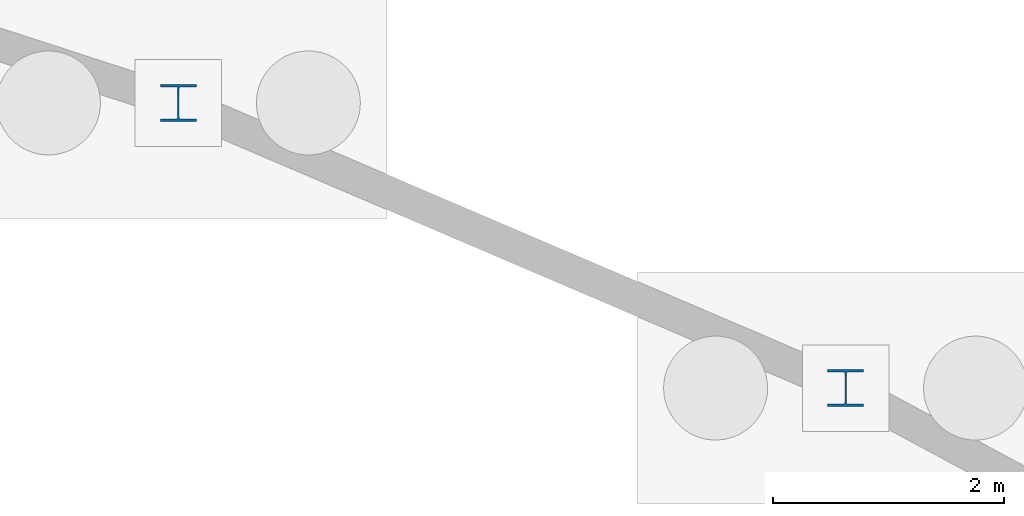
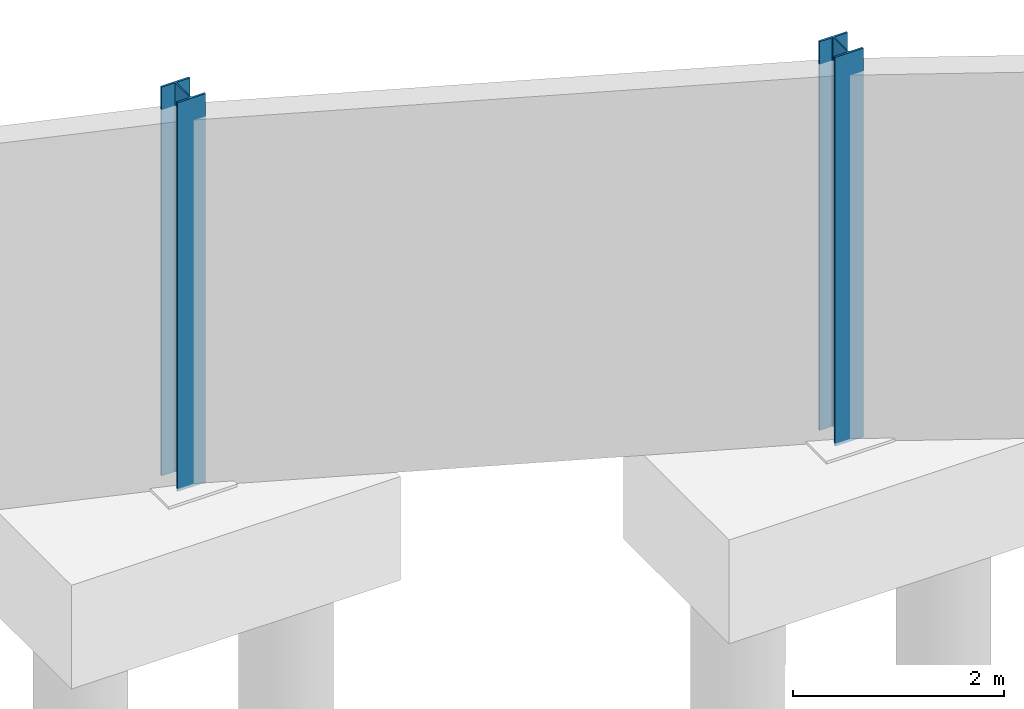
# One storey, part 20 of 41: 2 columns.
"""IFC4 building model written with IfcOpenShell, lengths in metres."""

import ifcopenshell
import ifcopenshell.guid

model = None  # the IFC model being written
_history = None  # IfcOwnerHistory: only IFC2X3 demands one
_inside = {}  # id of a spatial element -> (the spatial element, [elements in it])
_under = {}  # id of a project, library or spatial element -> (it, [spatial elements below it])
_declared = {}  # id of a project -> (the project, [libraries it declares])
_typed = {}  # id of a type object -> (the type object, [elements of that type])
_made_of = {}  # id of a material, layer set ... -> (it, [elements and type objects made of it])


def new_model(schema):
    """Start an empty IFC model of exactly this schema.

    Asked for "IFC4X3", IfcOpenShell would pick the latest addendum, in which some entities
    have other attributes; the version numbers below select the first issue.
    IFC2X3 requires an IfcOwnerHistory on every rooted entity: one is made here for all.
    """
    global model, _history
    if schema == "IFC4X3":
        model = ifcopenshell.file(schema_version=(4, 3, 0, 0))
    else:
        model = ifcopenshell.file(schema=schema)
    _inside.clear()
    _under.clear()
    _declared.clear()
    _typed.clear()
    _made_of.clear()
    _history = None
    if model.schema == "IFC2X3":
        org = make("IfcOrganization", Name="unknown")
        user = make(
            "IfcPersonAndOrganization",
            ThePerson=make("IfcPerson", FamilyName="unknown"),
            TheOrganization=org,
        )
        app = make(
            "IfcApplication",
            ApplicationDeveloper=org,
            Version="unknown",
            ApplicationFullName="unknown",
            ApplicationIdentifier="unknown",
        )
        _history = make(
            "IfcOwnerHistory",
            OwningUser=user,
            OwningApplication=app,
            ChangeAction="ADDED",
            CreationDate=0,
        )
    return model


def make(cls, **values):
    """One entity of the class cls with the attributes given. An attribute that is None is left unset."""
    return model.create_entity(
        cls, **{name: value for name, value in values.items() if value is not None}
    )


def rooted(cls, **values):
    """An entity with a GlobalId (a new one), such as an element, a storey or a relation."""
    return make(cls, GlobalId=ifcopenshell.guid.new(), OwnerHistory=_history, **values)


def si_unit(unit_type, name, prefix=None):
    """IfcSIUnit, for example si_unit("LENGTHUNIT", "METRE", prefix="MILLI")."""
    return make("IfcSIUnit", UnitType=unit_type, Prefix=prefix, Name=name)


def assignment(units):
    """IfcUnitAssignment: the units of a project."""
    return None if units is None else make("IfcUnitAssignment", Units=units)


def point(xyz):
    """IfcCartesianPoint."""
    return None if xyz is None else make("IfcCartesianPoint", Coordinates=xyz)


def direction(xyz):
    """IfcDirection."""
    return None if xyz is None else make("IfcDirection", DirectionRatios=xyz)


def frame(location, z_axis=None, x_axis=None):
    """IfcAxis2Placement3D, a coordinate frame: its origin and axes. An axis left out is left unset."""
    return make(
        "IfcAxis2Placement3D",
        Location=point(location),
        Axis=direction(z_axis),
        RefDirection=direction(x_axis),
    )


def frame_2d(location, x_axis=None):
    """IfcAxis2Placement2D, a coordinate frame in the plane: its origin and x axis."""
    return make(
        "IfcAxis2Placement2D", Location=point(location), RefDirection=direction(x_axis)
    )


def origin():
    """The frame at (0, 0, 0) with its axes left unset."""
    return frame((0.0, 0.0, 0.0))


def origin_2d():
    """The frame at (0, 0) in the plane with its x axis left unset."""
    return frame_2d((0.0, 0.0))


def place(relative_to, where):
    """IfcLocalPlacement: puts the frame where relative to a parent placement (None: the world)."""
    return make(
        "IfcLocalPlacement", PlacementRelTo=relative_to, RelativePlacement=where
    )


def context(
    kind, dimensions, precision=None, world=None, true_north=None, identifier=None
):
    """IfcGeometricRepresentationContext, for example the 3D "Model" context."""
    return make(
        "IfcGeometricRepresentationContext",
        ContextIdentifier=identifier,
        ContextType=kind,
        CoordinateSpaceDimension=dimensions,
        Precision=precision,
        WorldCoordinateSystem=world,
        TrueNorth=true_north,
    )


def subcontext(parent, identifier, kind, view, scale=None):
    """IfcGeometricRepresentationSubContext, for example "Body" below "Model"."""
    return make(
        "IfcGeometricRepresentationSubContext",
        ContextIdentifier=identifier,
        ContextType=kind,
        ParentContext=parent,
        TargetScale=scale,
        TargetView=view,
    )


def project(units=None, contexts=None):
    """IfcProject with its units and contexts."""
    return rooted(
        "IfcProject",
        Name="project",
        RepresentationContexts=contexts,
        UnitsInContext=assignment(units),
    )


def spatial(cls, under=None, at=None, **own):
    """A site, building, storey or space (cls), placed at a placement, below another one or the project."""
    s = rooted(cls, ObjectPlacement=at, **own)
    if under is not None:
        _under.setdefault(under.id(), (under, []))[1].append(s)
    return s


def profile(cls, at=None, kind="AREA", **sizes):
    """A parametric profile (cls). Its sizes go by their IFC names, for example OverallWidth=200.0."""
    return make(cls, ProfileType=kind, Position=at, **sizes)


def i_section(**sizes):
    """IfcIShapeProfileDef."""
    return profile("IfcIShapeProfileDef", **sizes)


def extrude(swept, where, along, depth):
    """IfcExtrudedAreaSolid: the profile swept, set in the frame where, extruded along a direction by depth."""
    return make(
        "IfcExtrudedAreaSolid",
        SweptArea=swept,
        Position=where,
        ExtrudedDirection=direction(along),
        Depth=depth,
    )


def shape(context_of_items, identifier, shape_type, items):
    """IfcShapeRepresentation: the items that make up one representation, for example the "Body"."""
    return make(
        "IfcShapeRepresentation",
        ContextOfItems=context_of_items,
        RepresentationIdentifier=identifier,
        RepresentationType=shape_type,
        Items=items,
    )


def material(Name=None, Category=None):
    """IfcMaterial."""
    return make("IfcMaterial", Name=Name, Category=Category)


def material_profile(
    of_material, cross_section, Name=None, Category=None, Priority=None
):
    """IfcMaterialProfile: a cross section and its material."""
    return make(
        "IfcMaterialProfile",
        Name=Name,
        Material=of_material,
        Profile=cross_section,
        Priority=Priority,
        Category=Category,
    )


def profile_set(profiles, Name=None, composite=None):
    """IfcMaterialProfileSet."""
    return make(
        "IfcMaterialProfileSet",
        Name=Name,
        MaterialProfiles=profiles,
        CompositeProfile=composite,
    )


def made_of(thing, what):
    """Note that an element or type object is made of a material, layer set ...; save() writes the relation."""
    if what is not None:
        _made_of.setdefault(what.id(), (what, []))[1].append(thing)
    return thing


def type_object(cls, material=None, **own):
    """A type object (cls), such as IfcWallType, which elements share."""
    return made_of(rooted(cls, **own), material)


def element(
    cls,
    number,
    at=None,
    inside=None,
    cuts=None,
    type_object=None,
    material=None,
    context=None,
    identifier="Body",
    shape_type=None,
    held_by="IfcProductDefinitionShape",
    body=None,
    shapes=None,
    **own,
):
    """One element of the class cls, such as IfcWall. Its Tag is "e" and its number.

    at: its placement. inside: the storey or other place that contains it. cuts: it is an
    opening in that element (IfcRelVoidsElement). A single representation is given by context,
    identifier, shape_type and body (its items); several are given by shapes. held_by: the class
    of the entity that holds the representations. save() writes the other relations.
    """
    e = rooted(cls, Tag="e%d" % number, ObjectPlacement=at, **own)
    if body is not None:
        shapes = [shape(context, identifier, shape_type, body)]
    if shapes is not None:
        e.Representation = make(held_by, Representations=shapes)
    if inside is not None:
        _inside.setdefault(inside.id(), (inside, []))[1].append(e)
    if cuts is not None:
        rooted(
            "IfcRelVoidsElement", RelatingBuildingElement=cuts, RelatedOpeningElement=e
        )
    if type_object is not None:
        _typed.setdefault(type_object.id(), (type_object, []))[1].append(e)
    return made_of(e, material)


def aggregate(whole, parts):
    """IfcRelAggregates: a whole, such as a stair, and the parts it consists of."""
    return rooted("IfcRelAggregates", RelatingObject=whole, RelatedObjects=parts)


def save(model, path):
    """Write the relations noted so far, then the file.

    IfcRelAggregates (storeys below a building ...), IfcRelContainedInSpatialStructure (elements
    in a storey), IfcRelDefinesByType, IfcRelAssociatesMaterial and IfcRelDeclares: one each for
    every whole, place, type object, material and project.
    """
    for whole, parts in _under.values():
        aggregate(whole, parts)
    for where, things in _inside.values():
        rooted(
            "IfcRelContainedInSpatialStructure",
            RelatedElements=things,
            RelatingStructure=where,
        )
    for kind, things in _typed.values():
        rooted("IfcRelDefinesByType", RelatedObjects=things, RelatingType=kind)
    for what, things in _made_of.values():
        rooted("IfcRelAssociatesMaterial", RelatedObjects=things, RelatingMaterial=what)
    for by, libraries in _declared.values():
        rooted("IfcRelDeclares", RelatingContext=by, RelatedDefinitions=libraries)
    model.write(path)


model = new_model("IFC4")

# Units and contexts
model_context = context("Model", 3, precision=1e-05, world=origin(), true_north=direction((0.0, 1.0)))
body_context = subcontext(model_context, "Body", "Model", "MODEL_VIEW")
ifc_project = project(units=[si_unit("LENGTHUNIT", "METRE"), si_unit("AREAUNIT", "SQUARE_METRE"), si_unit("VOLUMEUNIT", "CUBIC_METRE"), si_unit("PLANEANGLEUNIT", "RADIAN"), si_unit("MASSUNIT", "GRAM", prefix="KILO")], contexts=[model_context])

# Site, building, storey
site_placement = place(None, origin())
site = spatial("IfcSite", under=ifc_project, at=site_placement, CompositionType="ELEMENT")
building_placement = place(site_placement, origin())
building = spatial("IfcBuilding", under=site, at=building_placement, Name="Selat Folded Stagehouse", CompositionType="ELEMENT")
storey_placement = place(building_placement, frame((0.0, 0.0, -4.5)))
storey = spatial("IfcBuildingStorey", under=building, at=storey_placement, Name="B1", CompositionType="ELEMENT", Elevation=-4.5)

# Columns
ifc_material = material(Name="Steel S355", Category="steel")
ifc_material_profile = material_profile(ifc_material, i_section(OverallWidth=0.30908203125, OverallDepth=0.320556640625, WebThickness=0.013916015625, FlangeThickness=0.021728515625, FilletRadius=0.01513671875, at=origin_2d()), Name="UKC 305x305x137")
ifc_profile_set = profile_set([ifc_material_profile], Name="Steel S355")
column_type = type_object("IfcColumnType", Name="COL-UKC-305x305x137", PredefinedType="COLUMN", material=ifc_profile_set)
for number, where, z_axis, x_axis, name in (
    (1, (116.99609375, 103.536376953125, 0.0), (0.0, 0.0, 1.0), (1.0, 0.0, 0.0), "B1 column STK-V6OUT-11"),
    (2, (122.77197265625, 101.06787109375, 0.0), (0.0, 0.0, 1.0), (1.0, 0.0, 0.0), "B1 column STK-V6OUT-12"),
):
    element("IfcColumn", number, at=place(storey_placement, frame(where, z_axis=z_axis, x_axis=x_axis)), inside=storey, type_object=column_type, Name=name, PredefinedType="COLUMN", context=body_context, shape_type="SweptSolid", body=[
        extrude(i_section(OverallWidth=0.30908203125, OverallDepth=0.320556640625, WebThickness=0.013916015625, FlangeThickness=0.021728515625, FilletRadius=0.01513671875, at=origin_2d()), origin(), (0.0, 0.0, 1.0), 4.5),
    ])

save(model, "model.ifc")
